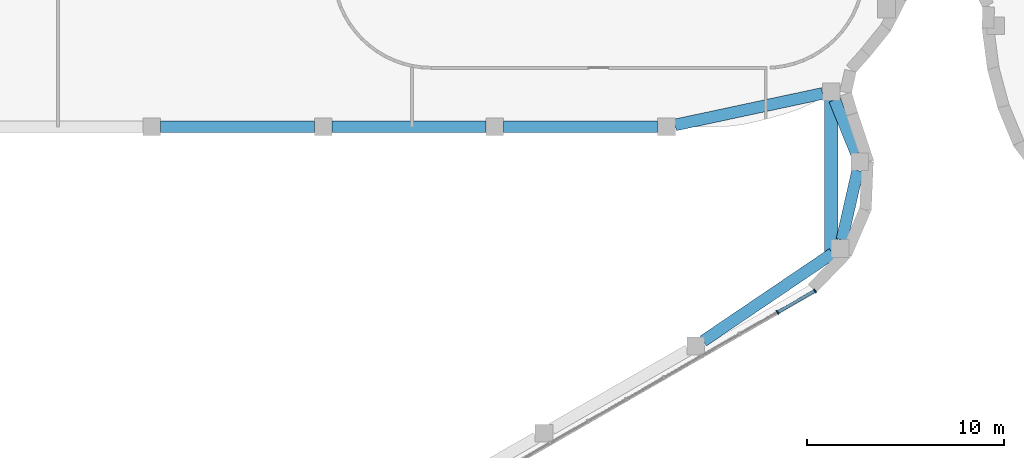
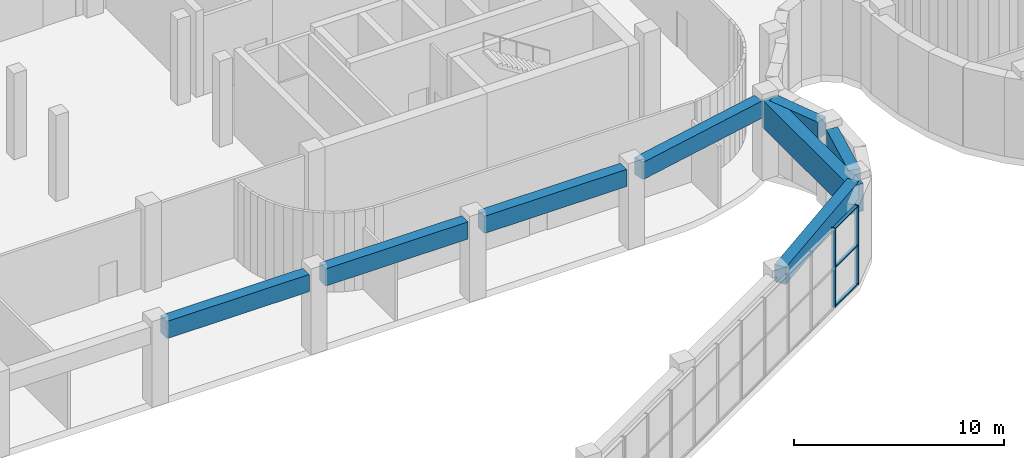
# One storey, part 5 of 25: 8 beams, 5 members, 1 element without a shape of its own.
"""IFC4 building model written with IfcOpenShell, lengths in metres."""

from ifc_helpers import new_model, si_unit, direction, frame, origin, origin_2d, place, context, subcontext, project, spatial, rectangle, hollow_rectangle, extrude, material, material_profile, profile_set, type_object, element, aggregate, save


model = new_model("IFC4")

# Units and contexts
model_context = context("Model", 3, precision=1e-05, world=origin(), true_north=direction((0.0, 1.0)))
body_context = subcontext(model_context, "Body", "Model", "MODEL_VIEW")
ifc_project = project(units=[si_unit("LENGTHUNIT", "METRE"), si_unit("AREAUNIT", "SQUARE_METRE"), si_unit("VOLUMEUNIT", "CUBIC_METRE"), si_unit("PLANEANGLEUNIT", "RADIAN"), si_unit("MASSUNIT", "GRAM", prefix="KILO")], contexts=[model_context])

# Site, building, storey
site_placement = place(None, origin())
site = spatial("IfcSite", under=ifc_project, at=site_placement, CompositionType="ELEMENT")
building_placement = place(site_placement, origin())
building = spatial("IfcBuilding", under=site, at=building_placement, Name="Skarvind Civic Tower", CompositionType="ELEMENT")
storey_placement = place(building_placement, frame((0.0, 0.0, 7.5)))
storey = spatial("IfcBuildingStorey", under=building, at=storey_placement, Name="L01", CompositionType="ELEMENT", Elevation=7.5)

# Curtain wall, members
ifc_material_1 = material(Name="Aluminium alloy 6063 and laminated glass", Category="aluminium")
curtain_wall_type = type_object("IfcCurtainWallType", Name="CW2 TOWER ENTRANCE LOBBY GLAZING", PredefinedType="NOTDEFINED", material=ifc_material_1)
curtain_wall_placement = place(storey_placement, origin())
curtain_wall = element("IfcCurtainWall", 1, at=curtain_wall_placement, inside=storey, type_object=curtain_wall_type, Name="TOWER ENTRANCE LOBBY GLAZING", PredefinedType="NOTDEFINED")
ifc_material_2 = material(Name="Aluminium alloy 6063", Category="aluminium")
ifc_material_profile_1 = material_profile(ifc_material_2, rectangle(XDim=0.219970703125, YDim=0.070068359375, at=origin_2d()), Name="AL 70x220")
ifc_profile_set_1 = profile_set([ifc_material_profile_1], Name="Aluminium alloy 6063")
member_type_1 = type_object("IfcMemberType", Name="CW2 MULLION 70x220", PredefinedType="MULLION", material=ifc_profile_set_1)
member_1_placement = place(storey_placement, frame((110.50146484375, 100.65576171875, 0.0), z_axis=(0.0, 0.0, 1.0), x_axis=(0.498825416846, -0.866702488463, 0.0)))
member_1 = element("IfcMember", 2, at=member_1_placement, type_object=member_type_1, Name="CW2 mullion 1", PredefinedType="MULLION", context=body_context, shape_type="SweptSolid", body=[
    extrude(rectangle(XDim=0.219970703125, YDim=0.070068359375, at=origin_2d()), origin(), (0.0, 0.0, 1.0), 4.60009765625),
])
member_2_placement = place(storey_placement, frame((108.60400390625, 99.563720703125, 0.0), z_axis=(0.0, 0.0, 1.0), x_axis=(0.498825416846, -0.866702488463, 0.0)))
member_2 = element("IfcMember", 3, at=member_2_placement, type_object=member_type_1, Name="CW2 mullion 2", PredefinedType="MULLION", context=body_context, shape_type="SweptSolid", body=[
    extrude(rectangle(XDim=0.219970703125, YDim=0.070068359375, at=origin_2d()), origin(), (0.0, 0.0, 1.0), 4.60009765625),
])
ifc_material_profile_2 = material_profile(ifc_material_2, rectangle(XDim=0.159912109375, YDim=0.070068359375, at=origin_2d()), Name="AL 70x160")
ifc_profile_set_2 = profile_set([ifc_material_profile_2], Name="Aluminium alloy 6063")
member_type_2 = type_object("IfcMemberType", Name="CW2 TRANSOM 70x160", PredefinedType="USERDEFINED", material=ifc_profile_set_2)
member_3_placement = place(storey_placement, frame((110.47119140625, 100.638427734375, 0.034912109375), z_axis=(-0.866722062826, -0.498791405109, 0.0), x_axis=(0.498791405109, -0.866722062826, 0.0)))
member_3 = element("IfcMember", 4, at=member_3_placement, type_object=member_type_2, Name="CW2 transom 1.1", ObjectType="TRANSOM", PredefinedType="USERDEFINED", context=body_context, shape_type="SweptSolid", body=[
    extrude(rectangle(XDim=0.159912109375, YDim=0.070068359375, at=origin_2d()), origin(), (0.0, 0.0, 1.0), 2.119384765625),
])
member_4_placement = place(storey_placement, frame((110.47119140625, 100.638427734375, 2.300048828125), z_axis=(-0.866722062826, -0.498791405109, 0.0), x_axis=(0.498791405109, -0.866722062826, 0.0)))
member_4 = element("IfcMember", 5, at=member_4_placement, type_object=member_type_2, Name="CW2 transom 1.2", ObjectType="TRANSOM", PredefinedType="USERDEFINED", context=body_context, shape_type="SweptSolid", body=[
    extrude(rectangle(XDim=0.159912109375, YDim=0.070068359375, at=origin_2d()), origin(), (0.0, 0.0, 1.0), 2.119384765625),
])
member_5_placement = place(storey_placement, frame((110.47119140625, 100.638427734375, 4.56494140625), z_axis=(-0.866722062826, -0.498791405109, 0.0), x_axis=(0.498791405109, -0.866722062826, 0.0)))
member_5 = element("IfcMember", 6, at=member_5_placement, type_object=member_type_2, Name="CW2 transom 1.3", ObjectType="TRANSOM", PredefinedType="USERDEFINED", context=body_context, shape_type="SweptSolid", body=[
    extrude(rectangle(XDim=0.159912109375, YDim=0.070068359375, at=origin_2d()), origin(), (0.0, 0.0, 1.0), 2.119384765625),
])
aggregate(curtain_wall, [member_1, member_2, member_3, member_4, member_5])

# Beams
ifc_material_3 = material(Name="Concrete C60", Category="concrete")
ifc_material_profile_3 = material_profile(ifc_material_3, rectangle(XDim=0.60009765625, YDim=1.0, at=origin_2d()), Name="RC-600x1000")
ifc_profile_set_3 = profile_set([ifc_material_profile_3], Name="Concrete C60")
beam_type_1 = type_object("IfcBeamType", Name="Hall ring beam RC-600x1000 C60", PredefinedType="BEAM", material=ifc_profile_set_3)
beam_1_placement = place(storey_placement, frame((104.81787109375, 98.10302734375, 4.10009765625), z_axis=(0.828297670288, 0.560288291325, 0.0), x_axis=(-0.560288291325, 0.828297670288, 0.0)))
element("IfcBeam", 7, at=beam_1_placement, inside=storey, type_object=beam_type_1, Name="Hall ring beam L02 11", PredefinedType="BEAM", context=body_context, shape_type="SweptSolid", body=[
    extrude(rectangle(XDim=0.60009765625, YDim=1.0, at=origin_2d()), origin(), (0.0, 0.0, 1.0), 7.947021484375),
])
beam_2_placement = place(storey_placement, frame((111.873046875, 103.246337890625, 4.10009765625), z_axis=(0.222011679923, 0.975044006175, 0.0), x_axis=(-0.975044006175, 0.222011679923, 0.0)))
element("IfcBeam", 8, at=beam_2_placement, inside=storey, type_object=beam_type_1, Name="Hall ring beam L02 12", PredefinedType="BEAM", context=body_context, shape_type="SweptSolid", body=[
    extrude(rectangle(XDim=0.60009765625, YDim=1.0, at=origin_2d()), origin(), (0.0, 0.0, 1.0), 3.6201171875),
])
beam_3_placement = place(storey_placement, frame((112.608154296875, 107.632080078125, 4.10009765625), z_axis=(-0.374450757239, 0.927246801236, 0.0), x_axis=(-0.927246801236, -0.374450757239, 0.0)))
element("IfcBeam", 9, at=beam_3_placement, inside=storey, type_object=beam_type_1, Name="Hall ring beam L02 13", PredefinedType="BEAM", context=body_context, shape_type="SweptSolid", body=[
    extrude(rectangle(XDim=0.60009765625, YDim=1.0, at=origin_2d()), origin(), (0.0, 0.0, 1.0), 2.95556640625),
])
beam_4_placement = place(storey_placement, frame((110.892822265625, 110.69580078125, 4.10009765625), z_axis=(-0.977960010839, -0.208792282422, 0.0), x_axis=(0.208792282422, -0.977960010839, 0.0)))
element("IfcBeam", 10, at=beam_4_placement, inside=storey, type_object=beam_type_1, Name="Hall ring beam L02 14", PredefinedType="BEAM", context=body_context, shape_type="SweptSolid", body=[
    extrude(rectangle(XDim=0.60009765625, YDim=1.0, at=origin_2d()), origin(), (0.0, 0.0, 1.0), 7.671875),
])
beam_5_placement = place(storey_placement, frame((102.5, 109.0, 4.10009765625), z_axis=(-1.0, 0.0, 0.0), x_axis=(0.0, -1.0, 0.0)))
element("IfcBeam", 11, at=beam_5_placement, inside=storey, type_object=beam_type_1, Name="Hall ring beam L02 15", PredefinedType="BEAM", context=body_context, shape_type="SweptSolid", body=[
    extrude(rectangle(XDim=0.60009765625, YDim=1.0, at=origin_2d()), origin(), (0.0, 0.0, 1.0), 7.829345703125),
])
for number, where, z_axis, x_axis, name in (
    (12, (93.770751953125, 109.0, 4.10009765625), (-1.0, 0.0, 0.0), (0.0, -1.0, 0.0), "Hall ring beam L02 16"),
    (13, (85.04150390625, 109.0, 4.10009765625), (-1.0, 0.0, 0.0), (0.0, -1.0, 0.0), "Hall ring beam L02 17"),
):
    element("IfcBeam", number, at=place(storey_placement, frame(where, z_axis=z_axis, x_axis=x_axis)), inside=storey, type_object=beam_type_1, Name=name, PredefinedType="BEAM", context=body_context, shape_type="SweptSolid", body=[
        extrude(rectangle(XDim=0.60009765625, YDim=1.0, at=origin_2d()), origin(), (0.0, 0.0, 1.0), 7.8291015625),
    ])
ifc_material_4 = material(Name="Steel SM355", Category="steel")
ifc_material_profile_4 = material_profile(ifc_material_4, hollow_rectangle(XDim=0.699951171875, YDim=1.60009765625, WallThickness=0.031982421875, at=origin_2d()), Name="BOX-1600x700x32")
ifc_profile_set_4 = profile_set([ifc_material_profile_4], Name="Steel SM355")
beam_type_2 = type_object("IfcBeamType", Name="Transfer girder BOX-1600x700x32 SM355", PredefinedType="BEAM", material=ifc_profile_set_4)
beam_6_placement = place(storey_placement, frame((111.3330078125, 102.068603515625, 3.800048828125), z_axis=(0.0, 1.0, 0.0), x_axis=(-1.0, 0.0, 0.0)))
element("IfcBeam", 14, at=beam_6_placement, inside=storey, type_object=beam_type_2, Name="Transfer girder TG1 L02 8 m", PredefinedType="BEAM", context=body_context, shape_type="SweptSolid", body=[
    extrude(hollow_rectangle(XDim=0.699951171875, YDim=1.60009765625, WallThickness=0.031982421875, at=origin_2d()), origin(), (0.0, 0.0, 1.0), 8.421142578125),
])

save(model, "model.ifc")
